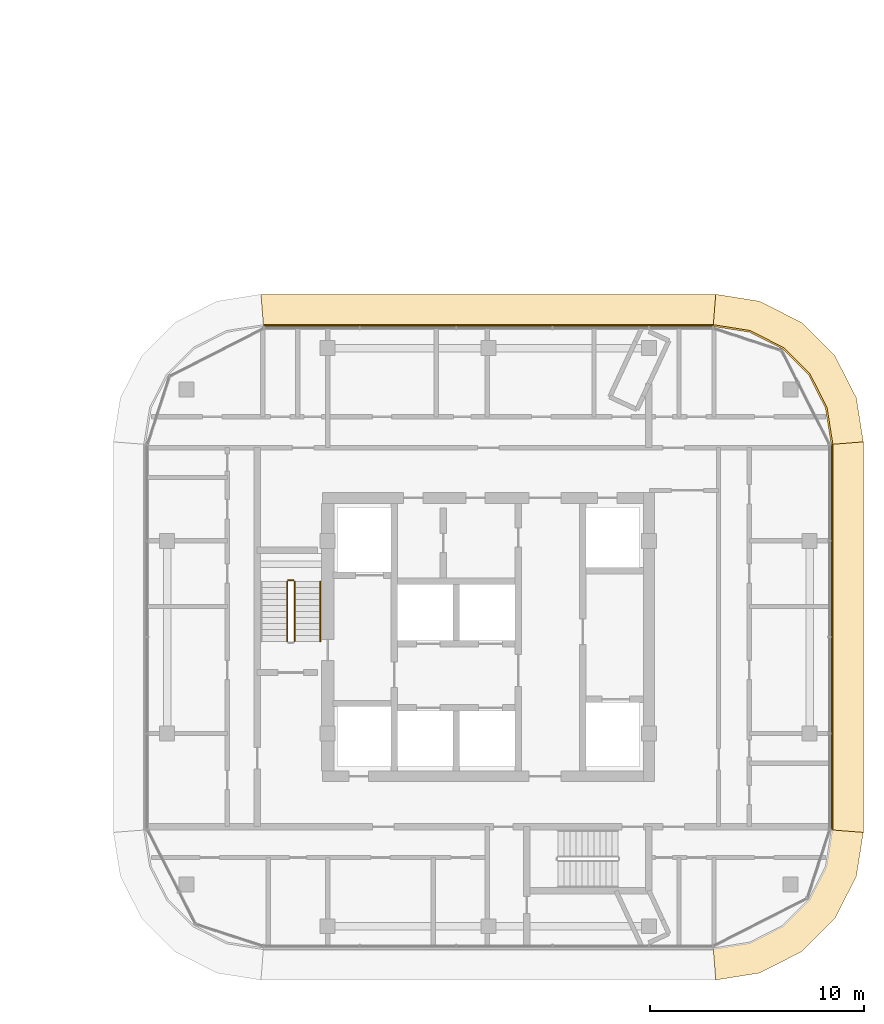
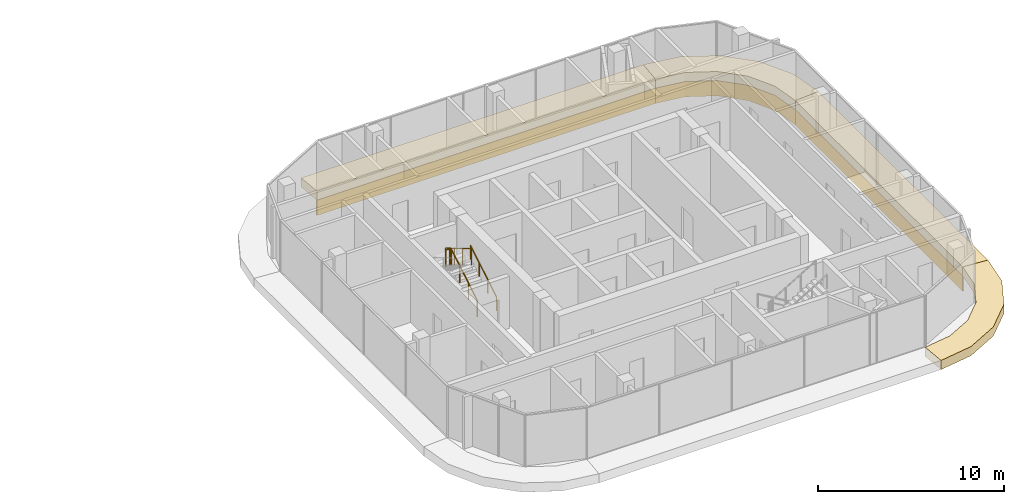
# One storey, part 40 of 40: 7 coverings, 4 railings.
"""IFC4 building model written with IfcOpenShell, lengths in metres."""

from ifc_helpers import new_model, si_unit, direction, frame, origin, origin_2d, place, context, subcontext, project, spatial, polyline, circle, outline, extrude, material, layer, layer_set, type_object, element, save


model = new_model("IFC4")

# Units and contexts
model_context = context("Model", 3, precision=1e-05, world=origin(), true_north=direction((0.0, 1.0)))
body_context = subcontext(model_context, "Body", "Model", "MODEL_VIEW")
ifc_project = project(units=[si_unit("LENGTHUNIT", "METRE"), si_unit("AREAUNIT", "SQUARE_METRE"), si_unit("VOLUMEUNIT", "CUBIC_METRE"), si_unit("PLANEANGLEUNIT", "RADIAN"), si_unit("MASSUNIT", "GRAM", prefix="KILO")], contexts=[model_context])

# Site, building, storey
site_placement = place(None, origin())
site = spatial("IfcSite", under=ifc_project, at=site_placement, CompositionType="ELEMENT")
building_placement = place(site_placement, origin())
building = spatial("IfcBuilding", under=site, at=building_placement, Name="Ogive Portal Towers", CompositionType="ELEMENT")
storey_placement = place(building_placement, frame((0.0, 0.0, 87.10009765625)))
storey = spatial("IfcBuildingStorey", under=building, at=storey_placement, Name="L20", CompositionType="ELEMENT", Elevation=87.10009765625)

# Railings
ifc_material_1 = material(Name="Stainless steel balustrade", Category="steel")
railing_type_1 = type_object("IfcRailingType", Name="INT-GUARD", PredefinedType="GUARDRAIL", material=ifc_material_1)
railing_1_placement = place(storey_placement, frame((127.449951171875, 30.800048828125, 0.16796875)))
element("IfcRailing", 1, at=railing_1_placement, inside=storey, type_object=railing_type_1, Name="L20 ST-B1 stair guard 1", PredefinedType="GUARDRAIL", context=body_context, shape_type="SweptSolid", body=[
    extrude(circle(Radius=0.02392578125, at=origin_2d()), frame((0.0, 0.0, 1.076171875), z_axis=(0.0, 0.857242210791, 0.514913383045), x_axis=(-1.0, 0.0, 0.0)), (0.0, 0.0, 1.0), 3.266357421875),
    extrude(circle(Radius=0.02099609375, at=origin_2d()), origin(), (0.0, 0.0, 1.0), 1.052001953125),
    extrude(circle(Radius=0.02099609375, at=origin_2d()), frame((0.0, 0.933349609375, 0.560546875)), (0.0, 0.0, 1.0), 1.052001953125),
    extrude(circle(Radius=0.02099609375, at=origin_2d()), frame((0.0, 1.86669921875, 1.121337890625)), (0.0, 0.0, 1.0), 1.052001953125),
    extrude(circle(Radius=0.02099609375, at=origin_2d()), frame((0.0, 2.800048828125, 1.681884765625)), (0.0, 0.0, 1.0), 1.052001953125),
])
railing_2_placement = place(storey_placement, frame((127.39990234375, 33.64990234375, 1.849853515625)))
element("IfcRailing", 2, at=railing_2_placement, inside=storey, type_object=railing_type_1, Name="L20 ST-B1 stair guard 2", PredefinedType="GUARDRAIL", context=body_context, shape_type="SweptSolid", body=[
    extrude(circle(Radius=0.02392578125, at=origin_2d()), frame((0.0, 0.0, 1.076171875), z_axis=(-1.0, 0.0, 0.0), x_axis=(0.0, -1.0, 0.0)), (0.0, 0.0, 1.0), 0.25),
    extrude(circle(Radius=0.02099609375, at=origin_2d()), origin(), (0.0, 0.0, 1.0), 1.052001953125),
    extrude(circle(Radius=0.02099609375, at=origin_2d()), frame((-0.25, 0.0, 0.0)), (0.0, 0.0, 1.0), 1.052001953125),
])
railing_3_placement = place(storey_placement, frame((127.10009765625, 33.60009765625, 2.01806640625)))
element("IfcRailing", 3, at=railing_3_placement, inside=storey, type_object=railing_type_1, Name="L20 ST-B1 stair guard 3", PredefinedType="GUARDRAIL", context=body_context, shape_type="SweptSolid", body=[
    extrude(circle(Radius=0.02392578125, at=origin_2d()), frame((0.0, 0.0, 1.076171875), z_axis=(0.0, -0.857242210791, 0.514913383045), x_axis=(1.0, 0.0, 0.0)), (0.0, 0.0, 1.0), 3.266357421875),
    extrude(circle(Radius=0.02099609375, at=origin_2d()), origin(), (0.0, 0.0, 1.0), 1.052001953125),
    extrude(circle(Radius=0.02099609375, at=origin_2d()), frame((0.0, -0.933349609375, 0.560546875)), (0.0, 0.0, 1.0), 1.052001953125),
    extrude(circle(Radius=0.02099609375, at=origin_2d()), frame((0.0, -1.86669921875, 1.121337890625)), (0.0, 0.0, 1.0), 1.052001953125),
    extrude(circle(Radius=0.02099609375, at=origin_2d()), frame((0.0, -2.800048828125, 1.681884765625)), (0.0, 0.0, 1.0), 1.052001953125),
])
ifc_material_2 = material(Name="Stainless steel handrail", Category="steel")
railing_type_2 = type_object("IfcRailingType", Name="INT-HANDRAIL", PredefinedType="HANDRAIL", material=ifc_material_2)
railing_4_placement = place(storey_placement, frame((128.64990234375, 30.800048828125, 0.16796875)))
element("IfcRailing", 4, at=railing_4_placement, inside=storey, type_object=railing_type_2, Name="L20 ST-B1 stair handrail 1", PredefinedType="HANDRAIL", context=body_context, shape_type="SweptSolid", body=[
    extrude(circle(Radius=0.02392578125, at=origin_2d()), frame((0.0, 0.0, 0.8759765625), z_axis=(0.0, 0.857242210791, 0.514913383045), x_axis=(-1.0, 0.0, 0.0)), (0.0, 0.0, 1.0), 3.266357421875),
    extrude(circle(Radius=0.02099609375, at=origin_2d()), origin(), (0.0, 0.0, 1.0), 0.851806640625),
    extrude(circle(Radius=0.02099609375, at=origin_2d()), frame((0.0, 0.933349609375, 0.560546875)), (0.0, 0.0, 1.0), 0.851806640625),
    extrude(circle(Radius=0.02099609375, at=origin_2d()), frame((0.0, 1.86669921875, 1.121337890625)), (0.0, 0.0, 1.0), 0.851806640625),
    extrude(circle(Radius=0.02099609375, at=origin_2d()), frame((0.0, 2.800048828125, 1.681884765625)), (0.0, 0.0, 1.0), 0.851806640625),
])

# Coverings
ifc_material_3 = material(Name="Limestone cladding on lightweight block wall", Category="masonry")
ifc_layer_1 = layer(ifc_material_3, 0.080078125)
ifc_layer_set_1 = layer_set([ifc_layer_1], Name="STONE SPANDREL 80")
covering_type_1 = type_object("IfcCoveringType", Name="STONE SPANDREL 80", PredefinedType="CLADDING", material=ifc_layer_set_1)
covering_1_placement = place(storey_placement, frame((0.0, 0.0, -1.60009765625)))
element("IfcCovering", 5, at=covering_1_placement, inside=storey, type_object=covering_type_1, Name="Stone spandrel B1-F04", PredefinedType="CLADDING", context=body_context, shape_type="SweptSolid", body=[
    extrude(outline(polyline([(152.510009765625, 22.0), (152.510009765625, 40.0), (152.590087890625, 40.00634765625), (152.590087890625, 21.99365234375), (152.510009765625, 22.0)])), origin(), (0.0, 0.0, 1.0), 1.0),
])
covering_2_placement = place(storey_placement, frame((0.0, 0.0, -1.60009765625)))
element("IfcCovering", 6, at=covering_2_placement, inside=storey, type_object=covering_type_1, Name="Stone spandrel B1-F05", PredefinedType="CLADDING", context=body_context, shape_type="SweptSolid", body=[
    extrude(outline(polyline([(152.510009765625, 40.0), (152.240234375, 41.70263671875), (151.457763671875, 43.23876953125), (150.23876953125, 44.457763671875), (148.70263671875, 45.240234375), (147.0, 45.510009765625), (147.00634765625, 45.590087890625), (148.727783203125, 45.3173828125), (150.286376953125, 44.523193359375), (151.523193359375, 43.286376953125), (152.3173828125, 41.727783203125), (152.590087890625, 40.00634765625), (152.510009765625, 40.0)])), origin(), (0.0, 0.0, 1.0), 1.0),
])
covering_3_placement = place(storey_placement, frame((0.0, 0.0, -1.60009765625)))
element("IfcCovering", 7, at=covering_3_placement, inside=storey, type_object=covering_type_1, Name="Stone spandrel B1-F06", PredefinedType="CLADDING", context=body_context, shape_type="SweptSolid", body=[
    extrude(outline(polyline([(147.0, 45.510009765625), (126.0, 45.510009765625), (125.99365234375, 45.590087890625), (147.00634765625, 45.590087890625), (147.0, 45.510009765625)])), origin(), (0.0, 0.0, 1.0), 1.0),
])
ifc_layer_2 = layer(ifc_material_3, 0.60009765625)
ifc_layer_set_2 = layer_set([ifc_layer_2], Name="SUNSHADE LIP 600")
covering_type_2 = type_object("IfcCoveringType", Name="SUNSHADE LIP 600", PredefinedType="CLADDING", material=ifc_layer_set_2)
covering_4_placement = place(storey_placement, frame((0.0, 0.0, -0.60009765625)))
element("IfcCovering", 8, at=covering_4_placement, inside=storey, type_object=covering_type_2, Name="Sunshade lip B1-F03", PredefinedType="CLADDING", context=body_context, shape_type="SweptSolid", body=[
    extrude(outline(polyline([(147.0, 16.489990234375), (148.70263671875, 16.759765625), (150.23876953125, 17.542236328125), (151.457763671875, 18.76123046875), (152.240234375, 20.29736328125), (152.510009765625, 22.0), (154.010009765625, 21.8818359375), (153.6845703125, 19.828125), (152.686279296875, 17.86865234375), (151.13134765625, 16.313720703125), (149.171875, 15.3154296875), (147.1181640625, 14.989990234375), (147.0, 16.489990234375)])), origin(), (0.0, 0.0, 1.0), 0.60009765625),
])
covering_5_placement = place(storey_placement, frame((0.0, 0.0, -0.60009765625)))
element("IfcCovering", 9, at=covering_5_placement, inside=storey, type_object=covering_type_2, Name="Sunshade lip B1-F04", PredefinedType="CLADDING", context=body_context, shape_type="SweptSolid", body=[
    extrude(outline(polyline([(152.510009765625, 22.0), (152.510009765625, 40.0), (154.010009765625, 40.1181640625), (154.010009765625, 21.8818359375), (152.510009765625, 22.0)])), origin(), (0.0, 0.0, 1.0), 0.60009765625),
])
covering_6_placement = place(storey_placement, frame((0.0, 0.0, -0.60009765625)))
element("IfcCovering", 10, at=covering_6_placement, inside=storey, type_object=covering_type_2, Name="Sunshade lip B1-F05", PredefinedType="CLADDING", context=body_context, shape_type="SweptSolid", body=[
    extrude(outline(polyline([(152.510009765625, 40.0), (152.240234375, 41.70263671875), (151.457763671875, 43.23876953125), (150.23876953125, 44.457763671875), (148.70263671875, 45.240234375), (147.0, 45.510009765625), (147.1181640625, 47.010009765625), (149.171875, 46.6845703125), (151.13134765625, 45.686279296875), (152.686279296875, 44.13134765625), (153.6845703125, 42.171875), (154.010009765625, 40.1181640625), (152.510009765625, 40.0)])), origin(), (0.0, 0.0, 1.0), 0.60009765625),
])
covering_7_placement = place(storey_placement, frame((0.0, 0.0, -0.60009765625)))
element("IfcCovering", 11, at=covering_7_placement, inside=storey, type_object=covering_type_2, Name="Sunshade lip B1-F06", PredefinedType="CLADDING", context=body_context, shape_type="SweptSolid", body=[
    extrude(outline(polyline([(147.0, 45.510009765625), (126.0, 45.510009765625), (125.8818359375, 47.010009765625), (147.1181640625, 47.010009765625), (147.0, 45.510009765625)])), origin(), (0.0, 0.0, 1.0), 0.60009765625),
])

save(model, "model.ifc")
